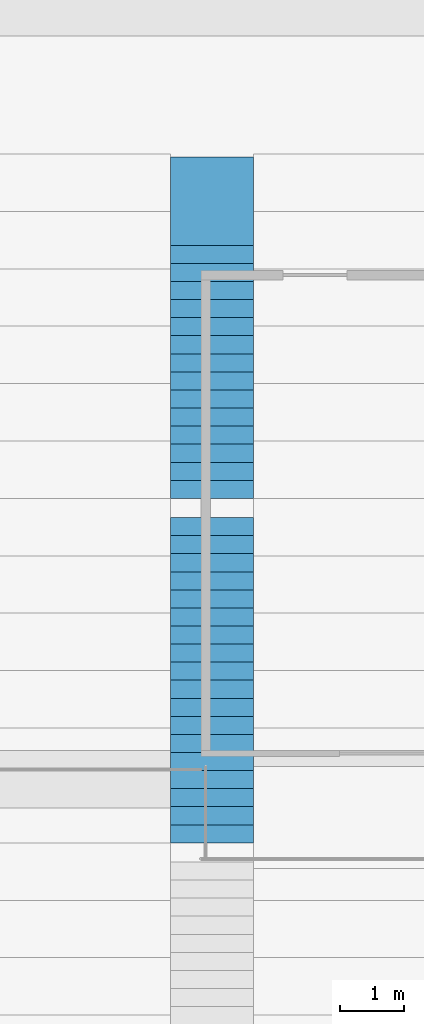
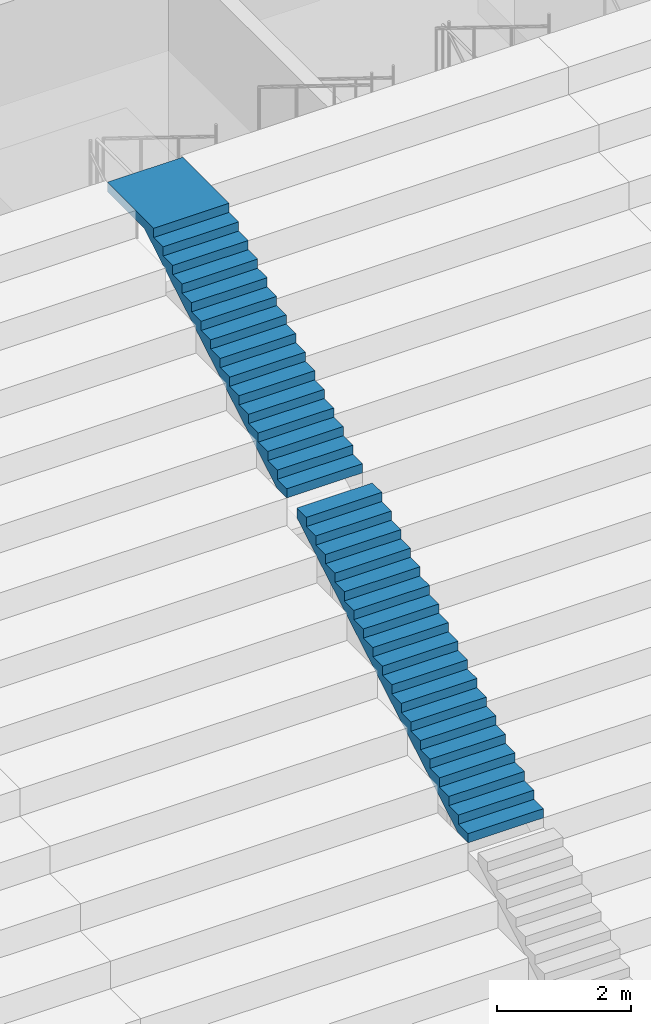
# One storey, part 203 of 249: 2 stair flights, 1 element without a shape of its own.
"""IFC4 building model written with IfcOpenShell, lengths in metres."""

from ifc_helpers import new_model, si_unit, direction, frame, origin, place, context, subcontext, project, spatial, faceted_brep, material, type_object, element, aggregate, save


model = new_model("IFC4")

# Units and contexts
model_context = context("Model", 3, precision=1e-05, world=origin(), true_north=direction((0.0, 1.0)))
body_context = subcontext(model_context, "Body", "Model", "MODEL_VIEW")
ifc_project = project(units=[si_unit("LENGTHUNIT", "METRE"), si_unit("AREAUNIT", "SQUARE_METRE"), si_unit("VOLUMEUNIT", "CUBIC_METRE"), si_unit("PLANEANGLEUNIT", "RADIAN"), si_unit("MASSUNIT", "GRAM", prefix="KILO")], contexts=[model_context])

# Site, building, storey
site_placement = place(None, origin())
site = spatial("IfcSite", under=ifc_project, at=site_placement, CompositionType="ELEMENT")
building_placement = place(site_placement, origin())
building = spatial("IfcBuilding", under=site, at=building_placement, Name="Ogive Plaza Stadium", CompositionType="ELEMENT")
storey_placement = place(building_placement, frame((0.0, 0.0, 13.5)))
storey = spatial("IfcBuildingStorey", under=building, at=storey_placement, Name="L03", CompositionType="ELEMENT", Elevation=13.5)

# Stair, stair flights
ifc_material_1 = material(Name="Concrete C40/50", Category="concrete")
stair_type = type_object("IfcStairType", Name="Aisle stair", PredefinedType="STRAIGHT_RUN_STAIR", material=ifc_material_1)
stair_placement = place(storey_placement, origin())
stair = element("IfcStair", 1, at=stair_placement, inside=storey, type_object=stair_type, Name="Aisle stair SA33U", PredefinedType="STRAIGHT_RUN_STAIR")
ifc_material_2 = material(Name="Concrete C40/50", Category="concrete")
stair_flight_type = type_object("IfcStairFlightType", Name="Aisle stair flight", PredefinedType="STRAIGHT", material=ifc_material_2)
stair_flight_1_placement = place(storey_placement, frame((-13.60009765625, 79.39990234375, 3.5), z_axis=(0.0, 0.0, 1.0), x_axis=(0.0, 1.0, 0.0)))
stair_flight_1 = element("IfcStairFlight", 2, at=stair_flight_1_placement, type_object=stair_flight_type, Name="SA33U flight 2", NumberOfRisers=18, NumberOfTreads=17, PredefinedType="STRAIGHT", RiserHeight=0.166666667, TreadLength=0.283333333, context=body_context, shape_type="Brep", body=[
    faceted_brep([(0.295654296875, -0.64990234375, 0.0), (5.10009765625, -0.64990234375, 2.826171875), (5.10009765625, -0.64990234375, 3.0), (4.816650390625, -0.64990234375, 3.0), (4.816650390625, -0.64990234375, 2.833251953125), (4.533447265625, -0.64990234375, 2.833251953125), (4.533447265625, -0.64990234375, 2.666748046875), (4.25, -0.64990234375, 2.666748046875), (4.25, -0.64990234375, 2.5), (3.966552734375, -0.64990234375, 2.5), (3.966552734375, -0.64990234375, 2.333251953125), (3.683349609375, -0.64990234375, 2.333251953125), (3.683349609375, -0.64990234375, 2.166748046875), (3.39990234375, -0.64990234375, 2.166748046875), (3.39990234375, -0.64990234375, 2.0), (3.11669921875, -0.64990234375, 2.0), (3.11669921875, -0.64990234375, 1.833251953125), (2.833251953125, -0.64990234375, 1.833251953125), (2.833251953125, -0.64990234375, 1.666748046875), (2.550048828125, -0.64990234375, 1.666748046875), (2.550048828125, -0.64990234375, 1.5), (2.2666015625, -0.64990234375, 1.5), (2.2666015625, -0.64990234375, 1.333251953125), (1.9833984375, -0.64990234375, 1.333251953125), (1.9833984375, -0.64990234375, 1.166748046875), (1.699951171875, -0.64990234375, 1.166748046875), (1.699951171875, -0.64990234375, 1.0), (1.416748046875, -0.64990234375, 1.0), (1.416748046875, -0.64990234375, 0.833251953125), (1.13330078125, -0.64990234375, 0.833251953125), (1.13330078125, -0.64990234375, 0.666748046875), (0.85009765625, -0.64990234375, 0.666748046875), (0.85009765625, -0.64990234375, 0.5), (0.566650390625, -0.64990234375, 0.5), (0.566650390625, -0.64990234375, 0.333251953125), (0.283447265625, -0.64990234375, 0.333251953125), (0.283447265625, -0.64990234375, 0.166748046875), (0.0, -0.64990234375, 0.166748046875), (0.0, -0.64990234375, 0.0), (0.0, 0.64990234375, 0.0), (0.0, 0.64990234375, 0.166748046875), (0.283447265625, 0.64990234375, 0.166748046875), (0.283447265625, 0.64990234375, 0.333251953125), (0.566650390625, 0.64990234375, 0.333251953125), (0.566650390625, 0.64990234375, 0.5), (0.85009765625, 0.64990234375, 0.5), (0.85009765625, 0.64990234375, 0.666748046875), (1.13330078125, 0.64990234375, 0.666748046875), (1.13330078125, 0.64990234375, 0.833251953125), (1.416748046875, 0.64990234375, 0.833251953125), (1.416748046875, 0.64990234375, 1.0), (1.699951171875, 0.64990234375, 1.0), (1.699951171875, 0.64990234375, 1.166748046875), (1.9833984375, 0.64990234375, 1.166748046875), (1.9833984375, 0.64990234375, 1.333251953125), (2.2666015625, 0.64990234375, 1.333251953125), (2.2666015625, 0.64990234375, 1.5), (2.550048828125, 0.64990234375, 1.5), (2.550048828125, 0.64990234375, 1.666748046875), (2.833251953125, 0.64990234375, 1.666748046875), (2.833251953125, 0.64990234375, 1.833251953125), (3.11669921875, 0.64990234375, 1.833251953125), (3.11669921875, 0.64990234375, 2.0), (3.39990234375, 0.64990234375, 2.0), (3.39990234375, 0.64990234375, 2.166748046875), (3.683349609375, 0.64990234375, 2.166748046875), (3.683349609375, 0.64990234375, 2.333251953125), (3.966552734375, 0.64990234375, 2.333251953125), (3.966552734375, 0.64990234375, 2.5), (4.25, 0.64990234375, 2.5), (4.25, 0.64990234375, 2.666748046875), (4.533447265625, 0.64990234375, 2.666748046875), (4.533447265625, 0.64990234375, 2.833251953125), (4.816650390625, 0.64990234375, 2.833251953125), (4.816650390625, 0.64990234375, 3.0), (5.10009765625, 0.64990234375, 3.0), (5.10009765625, 0.64990234375, 2.826171875), (0.295654296875, 0.64990234375, 0.0), (0.295654296875, -0.324951171875, 0.0), (5.10009765625, -0.324951171875, 2.826171875), (0.295654296875, 0.0, 0.0), (5.10009765625, 0.0, 2.826171875), (0.295654296875, 0.324951171875, 0.0), (5.10009765625, 0.324951171875, 2.826171875), (5.10009765625, -0.324951171875, 3.0), (5.10009765625, 0.0, 3.0), (5.10009765625, 0.324951171875, 3.0), (4.816650390625, -0.324951171875, 3.0), (4.816650390625, 0.0, 3.0), (4.816650390625, 0.324951171875, 3.0), (4.816650390625, -0.324951171875, 2.833251953125), (4.816650390625, 0.0, 2.833251953125), (4.816650390625, 0.324951171875, 2.833251953125), (4.533447265625, -0.324951171875, 2.833251953125), (4.533447265625, 0.0, 2.833251953125), (4.533447265625, 0.324951171875, 2.833251953125), (4.533447265625, -0.324951171875, 2.666748046875), (4.533447265625, 0.0, 2.666748046875), (4.533447265625, 0.324951171875, 2.666748046875), (4.25, -0.324951171875, 2.666748046875), (4.25, 0.0, 2.666748046875), (4.25, 0.324951171875, 2.666748046875), (4.25, -0.324951171875, 2.5), (4.25, 0.0, 2.5), (4.25, 0.324951171875, 2.5), (3.966552734375, -0.324951171875, 2.5), (3.966552734375, 0.0, 2.5), (3.966552734375, 0.324951171875, 2.5), (3.966552734375, -0.324951171875, 2.333251953125), (3.966552734375, 0.0, 2.333251953125), (3.966552734375, 0.324951171875, 2.333251953125), (3.683349609375, -0.324951171875, 2.333251953125), (3.683349609375, 0.0, 2.333251953125), (3.683349609375, 0.324951171875, 2.333251953125), (3.683349609375, -0.324951171875, 2.166748046875), (3.683349609375, 0.0, 2.166748046875), (3.683349609375, 0.324951171875, 2.166748046875), (3.39990234375, -0.324951171875, 2.166748046875), (3.39990234375, 0.0, 2.166748046875), (3.39990234375, 0.324951171875, 2.166748046875), (3.39990234375, -0.324951171875, 2.0), (3.39990234375, 0.0, 2.0), (3.39990234375, 0.324951171875, 2.0), (3.11669921875, -0.324951171875, 2.0), (3.11669921875, 0.0, 2.0), (3.11669921875, 0.324951171875, 2.0), (3.11669921875, -0.324951171875, 1.833251953125), (3.11669921875, 0.0, 1.833251953125), (3.11669921875, 0.324951171875, 1.833251953125), (2.833251953125, -0.324951171875, 1.833251953125), (2.833251953125, 0.0, 1.833251953125), (2.833251953125, 0.324951171875, 1.833251953125), (2.833251953125, -0.324951171875, 1.666748046875), (2.833251953125, 0.0, 1.666748046875), (2.833251953125, 0.324951171875, 1.666748046875), (2.550048828125, -0.324951171875, 1.666748046875), (2.550048828125, 0.0, 1.666748046875), (2.550048828125, 0.324951171875, 1.666748046875), (2.550048828125, -0.324951171875, 1.5), (2.550048828125, 0.0, 1.5), (2.550048828125, 0.324951171875, 1.5), (2.2666015625, -0.324951171875, 1.5), (2.2666015625, 0.0, 1.5), (2.2666015625, 0.324951171875, 1.5), (2.2666015625, -0.324951171875, 1.333251953125), (2.2666015625, 0.0, 1.333251953125), (2.2666015625, 0.324951171875, 1.333251953125), (1.9833984375, -0.324951171875, 1.333251953125), (1.9833984375, 0.0, 1.333251953125), (1.9833984375, 0.324951171875, 1.333251953125), (1.9833984375, -0.324951171875, 1.166748046875), (1.9833984375, 0.0, 1.166748046875), (1.9833984375, 0.324951171875, 1.166748046875), (1.699951171875, -0.324951171875, 1.166748046875), (1.699951171875, 0.0, 1.166748046875), (1.699951171875, 0.324951171875, 1.166748046875), (1.699951171875, -0.324951171875, 1.0), (1.699951171875, 0.0, 1.0), (1.699951171875, 0.324951171875, 1.0), (1.416748046875, -0.324951171875, 1.0), (1.416748046875, 0.0, 1.0), (1.416748046875, 0.324951171875, 1.0), (1.416748046875, -0.324951171875, 0.833251953125), (1.416748046875, 0.0, 0.833251953125), (1.416748046875, 0.324951171875, 0.833251953125), (1.13330078125, -0.324951171875, 0.833251953125), (1.13330078125, 0.0, 0.833251953125), (1.13330078125, 0.324951171875, 0.833251953125), (1.13330078125, -0.324951171875, 0.666748046875), (1.13330078125, 0.0, 0.666748046875), (1.13330078125, 0.324951171875, 0.666748046875), (0.85009765625, -0.324951171875, 0.666748046875), (0.85009765625, 0.0, 0.666748046875), (0.85009765625, 0.324951171875, 0.666748046875), (0.85009765625, -0.324951171875, 0.5), (0.85009765625, 0.0, 0.5), (0.85009765625, 0.324951171875, 0.5), (0.566650390625, -0.324951171875, 0.5), (0.566650390625, 0.0, 0.5), (0.566650390625, 0.324951171875, 0.5), (0.566650390625, -0.324951171875, 0.333251953125), (0.566650390625, 0.0, 0.333251953125), (0.566650390625, 0.324951171875, 0.333251953125), (0.283447265625, -0.324951171875, 0.333251953125), (0.283447265625, 0.0, 0.333251953125), (0.283447265625, 0.324951171875, 0.333251953125), (0.283447265625, -0.324951171875, 0.166748046875), (0.283447265625, 0.0, 0.166748046875), (0.283447265625, 0.324951171875, 0.166748046875), (0.0, -0.324951171875, 0.166748046875), (0.0, 0.0, 0.166748046875), (0.0, 0.324951171875, 0.166748046875), (0.0, -0.324951171875, 0.0), (0.0, 0.0, 0.0), (0.0, 0.324951171875, 0.0)], [[[0, 1, 2, 3, 4, 5, 6, 7, 8, 9, 10, 11, 12, 13, 14, 15, 16, 17, 18, 19, 20, 21, 22, 23, 24, 25, 26, 27, 28, 29, 30, 31, 32, 33, 34, 35, 36, 37, 38]], [[39, 40, 41, 42, 43, 44, 45, 46, 47, 48, 49, 50, 51, 52, 53, 54, 55, 56, 57, 58, 59, 60, 61, 62, 63, 64, 65, 66, 67, 68, 69, 70, 71, 72, 73, 74, 75, 76, 77]], [[0, 78, 79, 1]], [[78, 80, 81, 79]], [[80, 82, 83, 81]], [[82, 77, 76, 83]], [[1, 79, 84, 2]], [[79, 81, 85, 84]], [[81, 83, 86, 85]], [[83, 76, 75, 86]], [[2, 84, 87, 3]], [[84, 85, 88, 87]], [[85, 86, 89, 88]], [[86, 75, 74, 89]], [[3, 87, 90, 4]], [[87, 88, 91, 90]], [[88, 89, 92, 91]], [[89, 74, 73, 92]], [[4, 90, 93, 5]], [[90, 91, 94, 93]], [[91, 92, 95, 94]], [[92, 73, 72, 95]], [[5, 93, 96, 6]], [[93, 94, 97, 96]], [[94, 95, 98, 97]], [[95, 72, 71, 98]], [[6, 96, 99, 7]], [[96, 97, 100, 99]], [[97, 98, 101, 100]], [[98, 71, 70, 101]], [[7, 99, 102, 8]], [[99, 100, 103, 102]], [[100, 101, 104, 103]], [[101, 70, 69, 104]], [[8, 102, 105, 9]], [[102, 103, 106, 105]], [[103, 104, 107, 106]], [[104, 69, 68, 107]], [[9, 105, 108, 10]], [[105, 106, 109, 108]], [[106, 107, 110, 109]], [[107, 68, 67, 110]], [[10, 108, 111, 11]], [[108, 109, 112, 111]], [[109, 110, 113, 112]], [[110, 67, 66, 113]], [[11, 111, 114, 12]], [[111, 112, 115, 114]], [[112, 113, 116, 115]], [[113, 66, 65, 116]], [[12, 114, 117, 13]], [[114, 115, 118, 117]], [[115, 116, 119, 118]], [[116, 65, 64, 119]], [[13, 117, 120, 14]], [[117, 118, 121, 120]], [[118, 119, 122, 121]], [[119, 64, 63, 122]], [[14, 120, 123, 15]], [[120, 121, 124, 123]], [[121, 122, 125, 124]], [[122, 63, 62, 125]], [[15, 123, 126, 16]], [[123, 124, 127, 126]], [[124, 125, 128, 127]], [[125, 62, 61, 128]], [[16, 126, 129, 17]], [[126, 127, 130, 129]], [[127, 128, 131, 130]], [[128, 61, 60, 131]], [[17, 129, 132, 18]], [[129, 130, 133, 132]], [[130, 131, 134, 133]], [[131, 60, 59, 134]], [[18, 132, 135, 19]], [[132, 133, 136, 135]], [[133, 134, 137, 136]], [[134, 59, 58, 137]], [[19, 135, 138, 20]], [[135, 136, 139, 138]], [[136, 137, 140, 139]], [[137, 58, 57, 140]], [[20, 138, 141, 21]], [[138, 139, 142, 141]], [[139, 140, 143, 142]], [[140, 57, 56, 143]], [[21, 141, 144, 22]], [[141, 142, 145, 144]], [[142, 143, 146, 145]], [[143, 56, 55, 146]], [[22, 144, 147, 23]], [[144, 145, 148, 147]], [[145, 146, 149, 148]], [[146, 55, 54, 149]], [[23, 147, 150, 24]], [[147, 148, 151, 150]], [[148, 149, 152, 151]], [[149, 54, 53, 152]], [[24, 150, 153, 25]], [[150, 151, 154, 153]], [[151, 152, 155, 154]], [[152, 53, 52, 155]], [[25, 153, 156, 26]], [[153, 154, 157, 156]], [[154, 155, 158, 157]], [[155, 52, 51, 158]], [[26, 156, 159, 27]], [[156, 157, 160, 159]], [[157, 158, 161, 160]], [[158, 51, 50, 161]], [[27, 159, 162, 28]], [[159, 160, 163, 162]], [[160, 161, 164, 163]], [[161, 50, 49, 164]], [[28, 162, 165, 29]], [[162, 163, 166, 165]], [[163, 164, 167, 166]], [[164, 49, 48, 167]], [[29, 165, 168, 30]], [[165, 166, 169, 168]], [[166, 167, 170, 169]], [[167, 48, 47, 170]], [[30, 168, 171, 31]], [[168, 169, 172, 171]], [[169, 170, 173, 172]], [[170, 47, 46, 173]], [[31, 171, 174, 32]], [[171, 172, 175, 174]], [[172, 173, 176, 175]], [[173, 46, 45, 176]], [[32, 174, 177, 33]], [[174, 175, 178, 177]], [[175, 176, 179, 178]], [[176, 45, 44, 179]], [[33, 177, 180, 34]], [[177, 178, 181, 180]], [[178, 179, 182, 181]], [[179, 44, 43, 182]], [[34, 180, 183, 35]], [[180, 181, 184, 183]], [[181, 182, 185, 184]], [[182, 43, 42, 185]], [[35, 183, 186, 36]], [[183, 184, 187, 186]], [[184, 185, 188, 187]], [[185, 42, 41, 188]], [[36, 186, 189, 37]], [[186, 187, 190, 189]], [[187, 188, 191, 190]], [[188, 41, 40, 191]], [[37, 189, 192, 38]], [[189, 190, 193, 192]], [[190, 191, 194, 193]], [[191, 40, 39, 194]], [[38, 192, 78, 0]], [[192, 193, 80, 78]], [[193, 194, 82, 80]], [[194, 39, 77, 82]]]),
])
stair_flight_2_placement = place(storey_placement, frame((-13.60009765625, 84.800048828125, 6.5), z_axis=(0.0, 0.0, 1.0), x_axis=(0.0, 1.0, 0.0)))
stair_flight_2 = element("IfcStairFlight", 3, at=stair_flight_2_placement, type_object=stair_flight_type, Name="SA33U flight 3", NumberOfRisers=15, NumberOfTreads=14, PredefinedType="STRAIGHT", RiserHeight=0.166666667, TreadLength=0.283333333, context=body_context, shape_type="Brep", body=[
    faceted_brep([(0.295654296875, -0.64990234375, 0.0), (4.25, -0.64990234375, 2.326171875), (5.35009765625, -0.64990234375, 2.326171875), (5.35009765625, -0.64990234375, 2.5), (3.966552734375, -0.64990234375, 2.5), (3.966552734375, -0.64990234375, 2.333251953125), (3.683349609375, -0.64990234375, 2.333251953125), (3.683349609375, -0.64990234375, 2.166748046875), (3.39990234375, -0.64990234375, 2.166748046875), (3.39990234375, -0.64990234375, 2.0), (3.11669921875, -0.64990234375, 2.0), (3.11669921875, -0.64990234375, 1.833251953125), (2.833251953125, -0.64990234375, 1.833251953125), (2.833251953125, -0.64990234375, 1.666748046875), (2.550048828125, -0.64990234375, 1.666748046875), (2.550048828125, -0.64990234375, 1.5), (2.2666015625, -0.64990234375, 1.5), (2.2666015625, -0.64990234375, 1.333251953125), (1.9833984375, -0.64990234375, 1.333251953125), (1.9833984375, -0.64990234375, 1.166748046875), (1.699951171875, -0.64990234375, 1.166748046875), (1.699951171875, -0.64990234375, 1.0), (1.416748046875, -0.64990234375, 1.0), (1.416748046875, -0.64990234375, 0.833251953125), (1.13330078125, -0.64990234375, 0.833251953125), (1.13330078125, -0.64990234375, 0.666748046875), (0.85009765625, -0.64990234375, 0.666748046875), (0.85009765625, -0.64990234375, 0.5), (0.566650390625, -0.64990234375, 0.5), (0.566650390625, -0.64990234375, 0.333251953125), (0.283447265625, -0.64990234375, 0.333251953125), (0.283447265625, -0.64990234375, 0.166748046875), (0.0, -0.64990234375, 0.166748046875), (0.0, -0.64990234375, 0.0), (0.0, 0.64990234375, 0.0), (0.0, 0.64990234375, 0.166748046875), (0.283447265625, 0.64990234375, 0.166748046875), (0.283447265625, 0.64990234375, 0.333251953125), (0.566650390625, 0.64990234375, 0.333251953125), (0.566650390625, 0.64990234375, 0.5), (0.85009765625, 0.64990234375, 0.5), (0.85009765625, 0.64990234375, 0.666748046875), (1.13330078125, 0.64990234375, 0.666748046875), (1.13330078125, 0.64990234375, 0.833251953125), (1.416748046875, 0.64990234375, 0.833251953125), (1.416748046875, 0.64990234375, 1.0), (1.699951171875, 0.64990234375, 1.0), (1.699951171875, 0.64990234375, 1.166748046875), (1.9833984375, 0.64990234375, 1.166748046875), (1.9833984375, 0.64990234375, 1.333251953125), (2.2666015625, 0.64990234375, 1.333251953125), (2.2666015625, 0.64990234375, 1.5), (2.550048828125, 0.64990234375, 1.5), (2.550048828125, 0.64990234375, 1.666748046875), (2.833251953125, 0.64990234375, 1.666748046875), (2.833251953125, 0.64990234375, 1.833251953125), (3.11669921875, 0.64990234375, 1.833251953125), (3.11669921875, 0.64990234375, 2.0), (3.39990234375, 0.64990234375, 2.0), (3.39990234375, 0.64990234375, 2.166748046875), (3.683349609375, 0.64990234375, 2.166748046875), (3.683349609375, 0.64990234375, 2.333251953125), (3.966552734375, 0.64990234375, 2.333251953125), (3.966552734375, 0.64990234375, 2.5), (5.35009765625, 0.64990234375, 2.5), (5.35009765625, 0.64990234375, 2.326171875), (4.25, 0.64990234375, 2.326171875), (0.295654296875, 0.64990234375, 0.0), (0.295654296875, -0.324951171875, 0.0), (4.25, -0.324951171875, 2.326171875), (0.295654296875, 0.0, 0.0), (4.25, 0.0, 2.326171875), (0.295654296875, 0.324951171875, 0.0), (4.25, 0.324951171875, 2.326171875), (5.35009765625, -0.324951171875, 2.326171875), (5.35009765625, 0.0, 2.326171875), (5.35009765625, 0.324951171875, 2.326171875), (5.35009765625, -0.324951171875, 2.5), (5.35009765625, 0.0, 2.5), (5.35009765625, 0.324951171875, 2.5), (3.966552734375, -0.324951171875, 2.5), (3.966552734375, 0.0, 2.5), (3.966552734375, 0.324951171875, 2.5), (3.966552734375, -0.324951171875, 2.333251953125), (3.966552734375, 0.0, 2.333251953125), (3.966552734375, 0.324951171875, 2.333251953125), (3.683349609375, -0.324951171875, 2.333251953125), (3.683349609375, 0.0, 2.333251953125), (3.683349609375, 0.324951171875, 2.333251953125), (3.683349609375, -0.324951171875, 2.166748046875), (3.683349609375, 0.0, 2.166748046875), (3.683349609375, 0.324951171875, 2.166748046875), (3.39990234375, -0.324951171875, 2.166748046875), (3.39990234375, 0.0, 2.166748046875), (3.39990234375, 0.324951171875, 2.166748046875), (3.39990234375, -0.324951171875, 2.0), (3.39990234375, 0.0, 2.0), (3.39990234375, 0.324951171875, 2.0), (3.11669921875, -0.324951171875, 2.0), (3.11669921875, 0.0, 2.0), (3.11669921875, 0.324951171875, 2.0), (3.11669921875, -0.324951171875, 1.833251953125), (3.11669921875, 0.0, 1.833251953125), (3.11669921875, 0.324951171875, 1.833251953125), (2.833251953125, -0.324951171875, 1.833251953125), (2.833251953125, 0.0, 1.833251953125), (2.833251953125, 0.324951171875, 1.833251953125), (2.833251953125, -0.324951171875, 1.666748046875), (2.833251953125, 0.0, 1.666748046875), (2.833251953125, 0.324951171875, 1.666748046875), (2.550048828125, -0.324951171875, 1.666748046875), (2.550048828125, 0.0, 1.666748046875), (2.550048828125, 0.324951171875, 1.666748046875), (2.550048828125, -0.324951171875, 1.5), (2.550048828125, 0.0, 1.5), (2.550048828125, 0.324951171875, 1.5), (2.2666015625, -0.324951171875, 1.5), (2.2666015625, 0.0, 1.5), (2.2666015625, 0.324951171875, 1.5), (2.2666015625, -0.324951171875, 1.333251953125), (2.2666015625, 0.0, 1.333251953125), (2.2666015625, 0.324951171875, 1.333251953125), (1.9833984375, -0.324951171875, 1.333251953125), (1.9833984375, 0.0, 1.333251953125), (1.9833984375, 0.324951171875, 1.333251953125), (1.9833984375, -0.324951171875, 1.166748046875), (1.9833984375, 0.0, 1.166748046875), (1.9833984375, 0.324951171875, 1.166748046875), (1.699951171875, -0.324951171875, 1.166748046875), (1.699951171875, 0.0, 1.166748046875), (1.699951171875, 0.324951171875, 1.166748046875), (1.699951171875, -0.324951171875, 1.0), (1.699951171875, 0.0, 1.0), (1.699951171875, 0.324951171875, 1.0), (1.416748046875, -0.324951171875, 1.0), (1.416748046875, 0.0, 1.0), (1.416748046875, 0.324951171875, 1.0), (1.416748046875, -0.324951171875, 0.833251953125), (1.416748046875, 0.0, 0.833251953125), (1.416748046875, 0.324951171875, 0.833251953125), (1.13330078125, -0.324951171875, 0.833251953125), (1.13330078125, 0.0, 0.833251953125), (1.13330078125, 0.324951171875, 0.833251953125), (1.13330078125, -0.324951171875, 0.666748046875), (1.13330078125, 0.0, 0.666748046875), (1.13330078125, 0.324951171875, 0.666748046875), (0.85009765625, -0.324951171875, 0.666748046875), (0.85009765625, 0.0, 0.666748046875), (0.85009765625, 0.324951171875, 0.666748046875), (0.85009765625, -0.324951171875, 0.5), (0.85009765625, 0.0, 0.5), (0.85009765625, 0.324951171875, 0.5), (0.566650390625, -0.324951171875, 0.5), (0.566650390625, 0.0, 0.5), (0.566650390625, 0.324951171875, 0.5), (0.566650390625, -0.324951171875, 0.333251953125), (0.566650390625, 0.0, 0.333251953125), (0.566650390625, 0.324951171875, 0.333251953125), (0.283447265625, -0.324951171875, 0.333251953125), (0.283447265625, 0.0, 0.333251953125), (0.283447265625, 0.324951171875, 0.333251953125), (0.283447265625, -0.324951171875, 0.166748046875), (0.283447265625, 0.0, 0.166748046875), (0.283447265625, 0.324951171875, 0.166748046875), (0.0, -0.324951171875, 0.166748046875), (0.0, 0.0, 0.166748046875), (0.0, 0.324951171875, 0.166748046875), (0.0, -0.324951171875, 0.0), (0.0, 0.0, 0.0), (0.0, 0.324951171875, 0.0)], [[[0, 1, 2, 3, 4, 5, 6, 7, 8, 9, 10, 11, 12, 13, 14, 15, 16, 17, 18, 19, 20, 21, 22, 23, 24, 25, 26, 27, 28, 29, 30, 31, 32, 33]], [[34, 35, 36, 37, 38, 39, 40, 41, 42, 43, 44, 45, 46, 47, 48, 49, 50, 51, 52, 53, 54, 55, 56, 57, 58, 59, 60, 61, 62, 63, 64, 65, 66, 67]], [[0, 68, 69, 1]], [[68, 70, 71, 69]], [[70, 72, 73, 71]], [[72, 67, 66, 73]], [[1, 69, 74, 2]], [[69, 71, 75, 74]], [[71, 73, 76, 75]], [[73, 66, 65, 76]], [[2, 74, 77, 3]], [[74, 75, 78, 77]], [[75, 76, 79, 78]], [[76, 65, 64, 79]], [[3, 77, 80, 4]], [[77, 78, 81, 80]], [[78, 79, 82, 81]], [[79, 64, 63, 82]], [[4, 80, 83, 5]], [[80, 81, 84, 83]], [[81, 82, 85, 84]], [[82, 63, 62, 85]], [[5, 83, 86, 6]], [[83, 84, 87, 86]], [[84, 85, 88, 87]], [[85, 62, 61, 88]], [[6, 86, 89, 7]], [[86, 87, 90, 89]], [[87, 88, 91, 90]], [[88, 61, 60, 91]], [[7, 89, 92, 8]], [[89, 90, 93, 92]], [[90, 91, 94, 93]], [[91, 60, 59, 94]], [[8, 92, 95, 9]], [[92, 93, 96, 95]], [[93, 94, 97, 96]], [[94, 59, 58, 97]], [[9, 95, 98, 10]], [[95, 96, 99, 98]], [[96, 97, 100, 99]], [[97, 58, 57, 100]], [[10, 98, 101, 11]], [[98, 99, 102, 101]], [[99, 100, 103, 102]], [[100, 57, 56, 103]], [[11, 101, 104, 12]], [[101, 102, 105, 104]], [[102, 103, 106, 105]], [[103, 56, 55, 106]], [[12, 104, 107, 13]], [[104, 105, 108, 107]], [[105, 106, 109, 108]], [[106, 55, 54, 109]], [[13, 107, 110, 14]], [[107, 108, 111, 110]], [[108, 109, 112, 111]], [[109, 54, 53, 112]], [[14, 110, 113, 15]], [[110, 111, 114, 113]], [[111, 112, 115, 114]], [[112, 53, 52, 115]], [[15, 113, 116, 16]], [[113, 114, 117, 116]], [[114, 115, 118, 117]], [[115, 52, 51, 118]], [[16, 116, 119, 17]], [[116, 117, 120, 119]], [[117, 118, 121, 120]], [[118, 51, 50, 121]], [[17, 119, 122, 18]], [[119, 120, 123, 122]], [[120, 121, 124, 123]], [[121, 50, 49, 124]], [[18, 122, 125, 19]], [[122, 123, 126, 125]], [[123, 124, 127, 126]], [[124, 49, 48, 127]], [[19, 125, 128, 20]], [[125, 126, 129, 128]], [[126, 127, 130, 129]], [[127, 48, 47, 130]], [[20, 128, 131, 21]], [[128, 129, 132, 131]], [[129, 130, 133, 132]], [[130, 47, 46, 133]], [[21, 131, 134, 22]], [[131, 132, 135, 134]], [[132, 133, 136, 135]], [[133, 46, 45, 136]], [[22, 134, 137, 23]], [[134, 135, 138, 137]], [[135, 136, 139, 138]], [[136, 45, 44, 139]], [[23, 137, 140, 24]], [[137, 138, 141, 140]], [[138, 139, 142, 141]], [[139, 44, 43, 142]], [[24, 140, 143, 25]], [[140, 141, 144, 143]], [[141, 142, 145, 144]], [[142, 43, 42, 145]], [[25, 143, 146, 26]], [[143, 144, 147, 146]], [[144, 145, 148, 147]], [[145, 42, 41, 148]], [[26, 146, 149, 27]], [[146, 147, 150, 149]], [[147, 148, 151, 150]], [[148, 41, 40, 151]], [[27, 149, 152, 28]], [[149, 150, 153, 152]], [[150, 151, 154, 153]], [[151, 40, 39, 154]], [[28, 152, 155, 29]], [[152, 153, 156, 155]], [[153, 154, 157, 156]], [[154, 39, 38, 157]], [[29, 155, 158, 30]], [[155, 156, 159, 158]], [[156, 157, 160, 159]], [[157, 38, 37, 160]], [[30, 158, 161, 31]], [[158, 159, 162, 161]], [[159, 160, 163, 162]], [[160, 37, 36, 163]], [[31, 161, 164, 32]], [[161, 162, 165, 164]], [[162, 163, 166, 165]], [[163, 36, 35, 166]], [[32, 164, 167, 33]], [[164, 165, 168, 167]], [[165, 166, 169, 168]], [[166, 35, 34, 169]], [[33, 167, 68, 0]], [[167, 168, 70, 68]], [[168, 169, 72, 70]], [[169, 34, 67, 72]]]),
])
aggregate(stair, [stair_flight_1, stair_flight_2])

save(model, "model.ifc")
